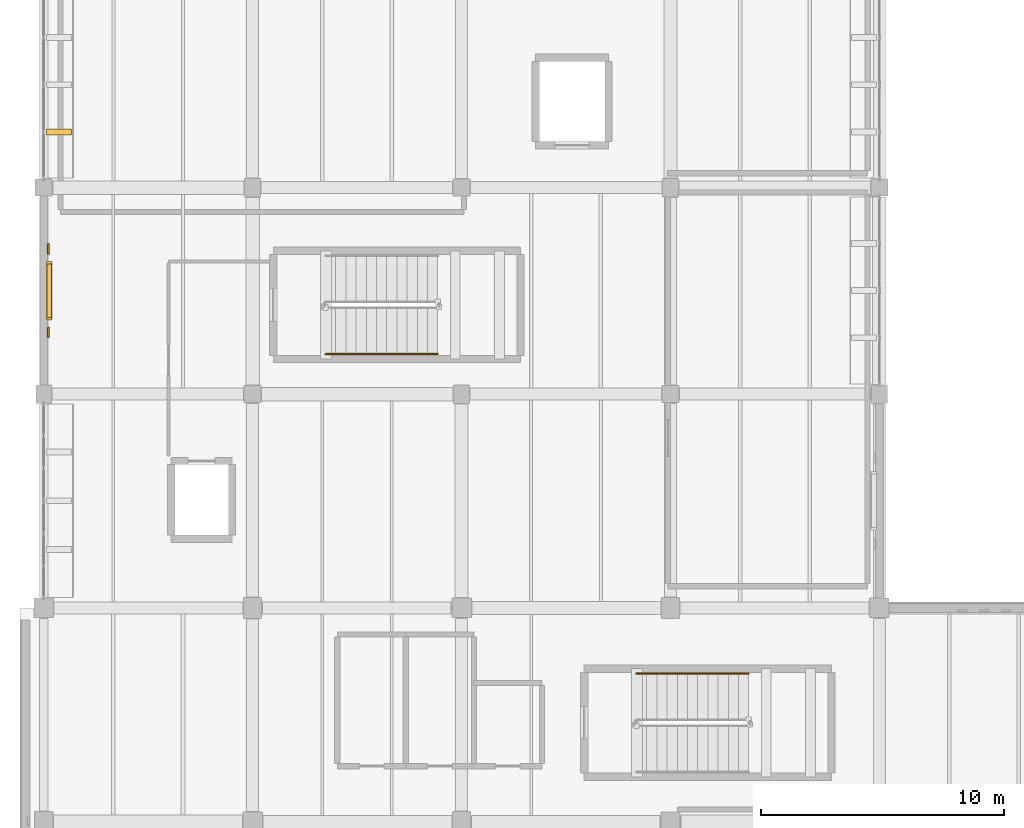
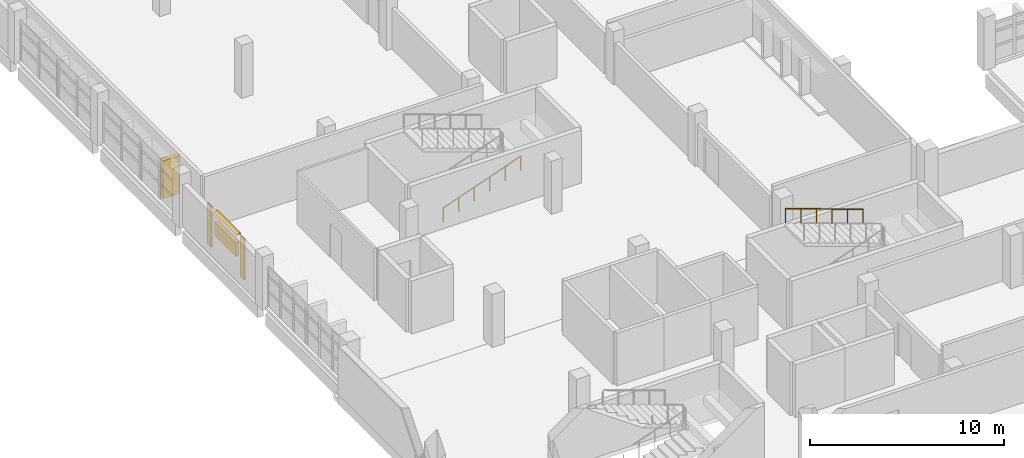
# One storey, part 69 of 75: 3 shading devices, 2 coverings, 2 railings.
"""IFC4 building model written with IfcOpenShell, lengths in metres."""

from ifc_helpers import new_model, si_unit, direction, frame, origin, origin_2d, place, context, subcontext, project, spatial, rectangle, circle, extrude, material, layer, layer_set, type_object, element, save


model = new_model("IFC4")

# Units and contexts
model_context = context("Model", 3, precision=1e-05, world=origin(), true_north=direction((0.0, 1.0)))
body_context = subcontext(model_context, "Body", "Model", "MODEL_VIEW")
ifc_project = project(units=[si_unit("LENGTHUNIT", "METRE"), si_unit("AREAUNIT", "SQUARE_METRE"), si_unit("VOLUMEUNIT", "CUBIC_METRE"), si_unit("PLANEANGLEUNIT", "RADIAN"), si_unit("MASSUNIT", "GRAM", prefix="KILO")], contexts=[model_context])

# Site, building, storey
site_placement = place(None, origin())
site = spatial("IfcSite", under=ifc_project, at=site_placement, CompositionType="ELEMENT")
building_placement = place(site_placement, origin())
building = spatial("IfcBuilding", under=site, at=building_placement, Name="Varnakota Cinema and Media Centre", CompositionType="ELEMENT")
storey_placement = place(building_placement, frame((0.0, 0.0, 8.39990234375)))
storey = spatial("IfcBuildingStorey", under=building, at=storey_placement, Name="L02", CompositionType="ELEMENT", Elevation=8.39990234375)

# Coverings
ifc_material_1 = material(Name="Pale Tandur limestone cladding", Category="masonry")
ifc_layer_1 = layer(ifc_material_1, 0.06005859375)
ifc_layer_set_1 = layer_set([ifc_layer_1], Name="Pale Tandur limestone cladding")
covering_type = type_object("IfcCoveringType", Name="COV-TANDUR-ASHLAR-60", PredefinedType="CLADDING", material=ifc_layer_set_1)
for number, where, z_axis, x_axis, name in (
    (1, (0.18505859375, 49.972900390625, 0.06005859375), (0.0, 0.0, 1.0), (0.0, -1.0, 0.0), "L02 acoustic studio stone relief pilaster V5-W-4.1"),
    (2, (0.18505859375, 46.552001953125, 0.06005859375), (0.0, 0.0, 1.0), (0.0, -1.0, 0.0), "L02 acoustic studio stone relief pilaster V5-W-4.2"),
):
    element("IfcCovering", number, at=place(storey_placement, frame(where, z_axis=z_axis, x_axis=x_axis)), inside=storey, type_object=covering_type, Name=name, PredefinedType="CLADDING", context=body_context, shape_type="SweptSolid", body=[
        extrude(rectangle(XDim=0.419921875, YDim=0.080078125, at=origin_2d()), origin(), (0.0, 0.0, 1.0), 2.554931640625),
    ])

# Railings
ifc_material_2 = material(Name="Structural steel Grade 350 (E350)", Category="steel")
ifc_layer_2 = layer(ifc_material_2, 0.048095703125)
ifc_layer_set_2 = layer_set([ifc_layer_2], Name="Structural steel Grade 350 (E350)")
railing_type = type_object("IfcRailingType", Name="RAIL-STAIR-HAND-900", PredefinedType="HANDRAIL", material=ifc_layer_set_2)
railing_1_placement = place(storey_placement, frame((29.02001953125, 32.5, 1.9501953125)))
element("IfcRailing", 3, at=railing_1_placement, inside=storey, type_object=railing_type, Name="L02 ST-02 stair handrail 2", PredefinedType="HANDRAIL", context=body_context, shape_type="SweptSolid", body=[
    extrude(circle(Radius=0.02392578125, at=origin_2d()), frame((0.0, 0.0, 0.8759765625), z_axis=(-0.941750918478, 0.0, 0.336311176658), x_axis=(0.0, -1.0, 0.0)), (0.0, 0.0, 1.0), 4.90576171875),
    extrude(circle(Radius=0.02099609375, at=origin_2d()), origin(), (0.0, 0.0, 1.0), 0.851806640625),
    extrude(circle(Radius=0.02099609375, at=origin_2d()), frame((-0.924072265625, 0.0, 0.330078125)), (0.0, 0.0, 1.0), 0.851806640625),
    extrude(circle(Radius=0.02099609375, at=origin_2d()), frame((-1.84814453125, 0.0, 0.659912109375)), (0.0, 0.0, 1.0), 0.851806640625),
    extrude(circle(Radius=0.02099609375, at=origin_2d()), frame((-2.77197265625, 0.0, 0.989990234375)), (0.0, 0.0, 1.0), 0.851806640625),
    extrude(circle(Radius=0.02099609375, at=origin_2d()), frame((-3.696044921875, 0.0, 1.31982421875)), (0.0, 0.0, 1.0), 0.851806640625),
    extrude(circle(Radius=0.02099609375, at=origin_2d()), frame((-4.6201171875, 0.0, 1.64990234375)), (0.0, 0.0, 1.0), 0.851806640625),
])
railing_2_placement = place(storey_placement, frame((11.60009765625, 45.64990234375, 0.150146484375)))
element("IfcRailing", 4, at=railing_2_placement, inside=storey, type_object=railing_type, Name="L02 ST-03 stair handrail 1", PredefinedType="HANDRAIL", context=body_context, shape_type="SweptSolid", body=[
    extrude(circle(Radius=0.02392578125, at=origin_2d()), frame((0.0, 0.0, 0.8759765625), z_axis=(0.941745289414, 0.0, 0.336326938956), x_axis=(0.0, 1.0, 0.0)), (0.0, 0.0, 1.0), 4.90576171875),
    extrude(circle(Radius=0.02099609375, at=origin_2d()), origin(), (0.0, 0.0, 1.0), 0.851806640625),
    extrude(circle(Radius=0.02099609375, at=origin_2d()), frame((0.924072265625, 0.0, 0.330078125)), (0.0, 0.0, 1.0), 0.851806640625),
    extrude(circle(Radius=0.02099609375, at=origin_2d()), frame((1.847900390625, 0.0, 0.659912109375)), (0.0, 0.0, 1.0), 0.851806640625),
    extrude(circle(Radius=0.02099609375, at=origin_2d()), frame((2.77197265625, 0.0, 0.989990234375)), (0.0, 0.0, 1.0), 0.851806640625),
    extrude(circle(Radius=0.02099609375, at=origin_2d()), frame((3.69580078125, 0.0, 1.31982421875)), (0.0, 0.0, 1.0), 0.851806640625),
    extrude(circle(Radius=0.02099609375, at=origin_2d()), frame((4.619873046875, 0.0, 1.64990234375)), (0.0, 0.0, 1.0), 0.851806640625),
])

# Shading devices
ifc_material_3 = material(Name="Precast concrete M40", Category="concrete")
shading_device_type_1 = type_object("IfcShadingDeviceType", Name="SHD-BRISE-FIN-240", PredefinedType="JALOUSIE", material=ifc_material_3)
shading_device_1_placement = place(storey_placement, frame((0.6298828125, 54.793701171875, 0.150146484375), z_axis=(0.0, 0.0, 1.0), x_axis=(0.0, -1.0, 0.0)))
element("IfcShadingDevice", 5, at=shading_device_1_placement, inside=storey, type_object=shading_device_type_1, Name="L02 vertical concrete brise-soleil fin V5-W-3.3", PredefinedType="JALOUSIE", context=body_context, shape_type="SweptSolid", body=[
    extrude(rectangle(XDim=0.239990234375, YDim=1.02001953125, at=origin_2d()), origin(), (0.0, 0.0, 1.0), 2.375),
])
ifc_material_4 = material(Name="Precast concrete M40", Category="concrete")
shading_device_type_2 = type_object("IfcShadingDeviceType", Name="SHD-CHAJJA-1050", PredefinedType="AWNING", material=ifc_material_4)
shading_device_2_placement = place(storey_placement, frame((0.22998046875, 48.262451171875, 2.4052734375), z_axis=(0.0, 0.0, 1.0), x_axis=(0.0, -1.0, 0.0)))
element("IfcShadingDevice", 6, at=shading_device_2_placement, inside=storey, type_object=shading_device_type_2, Name="L02 acoustic intake weather hood V5-W-4", PredefinedType="AWNING", context=body_context, shape_type="SweptSolid", body=[
    extrude(rectangle(XDim=2.39990234375, YDim=0.239990234375, at=origin_2d()), origin(), (0.0, 0.0, 1.0), 0.139892578125),
])
ifc_material_5 = material(Name="Precast concrete M40", Category="concrete")
shading_device_type_3 = type_object("IfcShadingDeviceType", Name="SHD-FIN-1050", PredefinedType="JALOUSIE", material=ifc_material_5)
shading_device_3_placement = place(storey_placement, frame((0.22998046875, 48.262451171875, 1.074951171875), z_axis=(0.0, 0.0, 1.0), x_axis=(0.0, -1.0, 0.0)))
element("IfcShadingDevice", 7, at=shading_device_3_placement, inside=storey, type_object=shading_device_type_3, Name="L02 studio acoustic louvre screen V5-W-4", PredefinedType="JALOUSIE", context=body_context, shape_type="SweptSolid", body=[
    extrude(rectangle(XDim=2.199951171875, YDim=0.199951171875, at=origin_2d()), origin(), (0.0, 0.0, 1.0), 0.85009765625),
])

save(model, "model.ifc")
